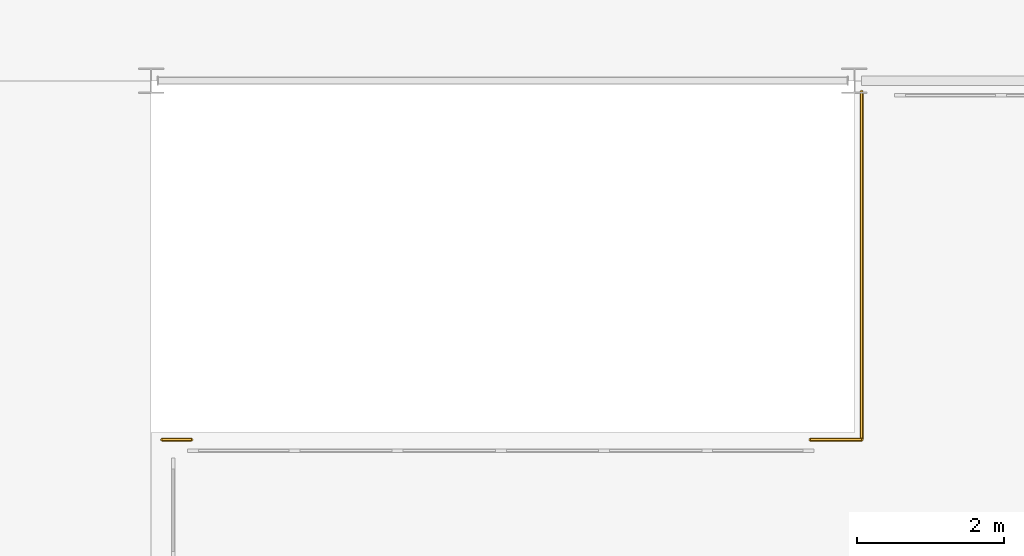
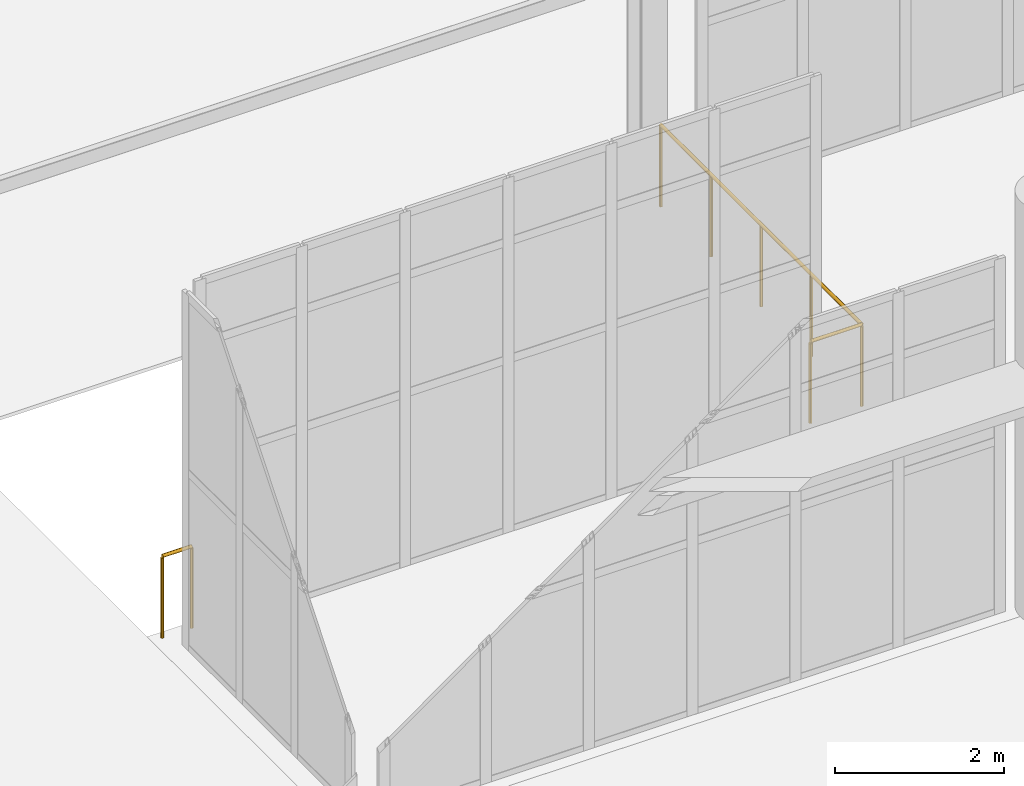
# One storey, part 117 of 139: 3 railings.
"""IFC4 building model written with IfcOpenShell, lengths in metres."""

from ifc_helpers import new_model, si_unit, direction, frame, origin, origin_2d, place, context, subcontext, project, spatial, circle, extrude, material, type_object, element, save


model = new_model("IFC4")

# Units and contexts
model_context = context("Model", 3, precision=1e-05, world=origin(), true_north=direction((0.0, 1.0)))
body_context = subcontext(model_context, "Body", "Model", "MODEL_VIEW")
ifc_project = project(units=[si_unit("LENGTHUNIT", "METRE"), si_unit("AREAUNIT", "SQUARE_METRE"), si_unit("VOLUMEUNIT", "CUBIC_METRE"), si_unit("PLANEANGLEUNIT", "RADIAN"), si_unit("MASSUNIT", "GRAM", prefix="KILO")], contexts=[model_context])

# Site, building, storey
site_placement = place(None, origin())
site = spatial("IfcSite", under=ifc_project, at=site_placement, CompositionType="ELEMENT")
building_placement = place(site_placement, origin())
building = spatial("IfcBuilding", under=site, at=building_placement, Name="Yeouljin Market Hall", CompositionType="ELEMENT")
storey_placement = place(building_placement, origin())
storey = spatial("IfcBuildingStorey", under=building, at=storey_placement, Name="L00", CompositionType="ELEMENT", Elevation=0.0)

# Railings
ifc_material = material(Name="Wrought Iron and Bronze Gallery Balustrade")
railing_type = type_object("IfcRailingType", Name="Railing_AtriumBalustrade_1200", PredefinedType="BALUSTRADE", material=ifc_material)
railing_1_placement = place(storey_placement, frame((112.35009765625, 4.699951171875, 0.0)))
element("IfcRailing", 1, at=railing_1_placement, inside=storey, type_object=railing_type, Name="Gallery & deck edge balustrade L00-034", PredefinedType="BALUSTRADE", context=body_context, shape_type="SweptSolid", body=[
    extrude(circle(Radius=0.02392578125, at=origin_2d()), frame((0.0, 0.0, 1.17578125), z_axis=(1.0, 0.0, 0.0), x_axis=(0.0, 1.0, 0.0)), (0.0, 0.0, 1.0), 0.39990234375),
    extrude(circle(Radius=0.02099609375, at=origin_2d()), origin(), (0.0, 0.0, 1.0), 1.15185546875),
    extrude(circle(Radius=0.02099609375, at=origin_2d()), frame((0.39990234375, 0.0, 0.0)), (0.0, 0.0, 1.0), 1.15185546875),
])
railing_2_placement = place(storey_placement, frame((121.199951171875, 4.699951171875, 0.0)))
element("IfcRailing", 2, at=railing_2_placement, inside=storey, type_object=railing_type, Name="Gallery & deck edge balustrade L00-035", PredefinedType="BALUSTRADE", context=body_context, shape_type="SweptSolid", body=[
    extrude(circle(Radius=0.02392578125, at=origin_2d()), frame((0.0, 0.0, 1.17578125), z_axis=(1.0, 0.0, 0.0), x_axis=(0.0, 1.0, 0.0)), (0.0, 0.0, 1.0), 0.699951171875),
    extrude(circle(Radius=0.02099609375, at=origin_2d()), origin(), (0.0, 0.0, 1.0), 1.15185546875),
    extrude(circle(Radius=0.02099609375, at=origin_2d()), frame((0.699951171875, 0.0, 0.0)), (0.0, 0.0, 1.0), 1.15185546875),
])
railing_3_placement = place(storey_placement, frame((121.89990234375, 4.699951171875, 0.0)))
element("IfcRailing", 3, at=railing_3_placement, inside=storey, type_object=railing_type, Name="Gallery & deck edge balustrade L00-036", PredefinedType="BALUSTRADE", context=body_context, shape_type="SweptSolid", body=[
    extrude(circle(Radius=0.02392578125, at=origin_2d()), frame((0.0, 0.0, 1.17578125), z_axis=(0.0, 1.0, 0.0), x_axis=(-1.0, 0.0, 0.0)), (0.0, 0.0, 1.0), 4.75),
    extrude(circle(Radius=0.02099609375, at=origin_2d()), origin(), (0.0, 0.0, 1.0), 1.15185546875),
    extrude(circle(Radius=0.02099609375, at=origin_2d()), frame((0.0, 1.1875, 0.0)), (0.0, 0.0, 1.0), 1.15185546875),
    extrude(circle(Radius=0.02099609375, at=origin_2d()), frame((0.0, 2.375, 0.0)), (0.0, 0.0, 1.0), 1.15185546875),
    extrude(circle(Radius=0.02099609375, at=origin_2d()), frame((0.0, 3.5625, 0.0)), (0.0, 0.0, 1.0), 1.15185546875),
    extrude(circle(Radius=0.02099609375, at=origin_2d()), frame((0.0, 4.75, 0.0)), (0.0, 0.0, 1.0), 1.15185546875),
])

save(model, "model.ifc")
